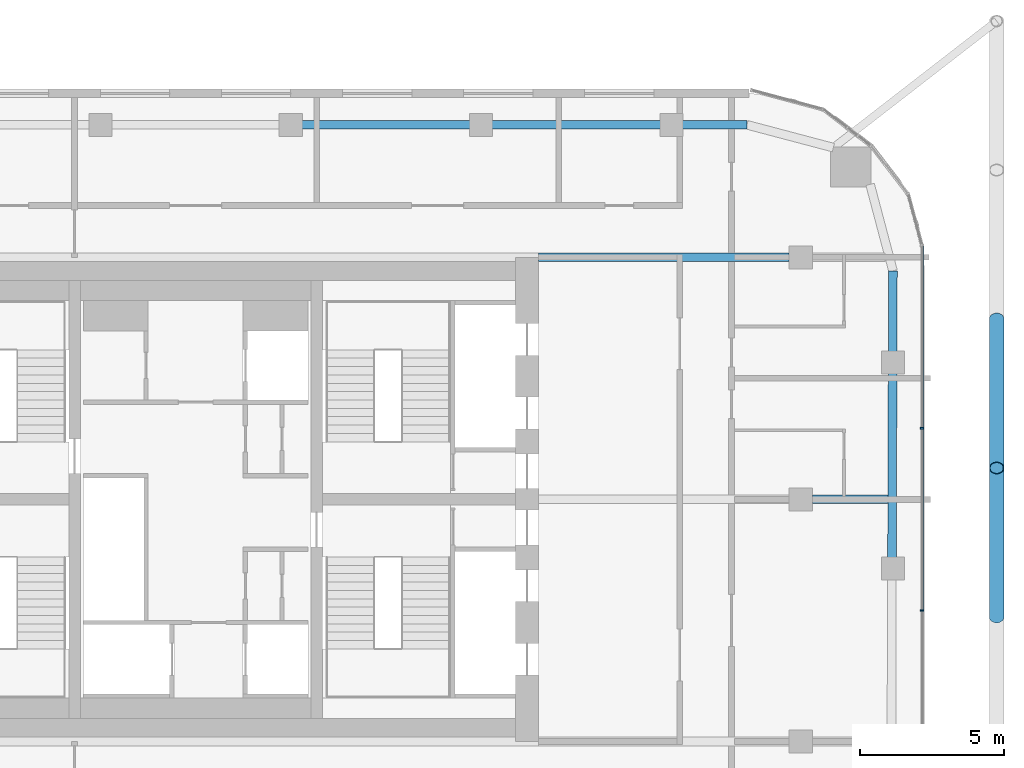
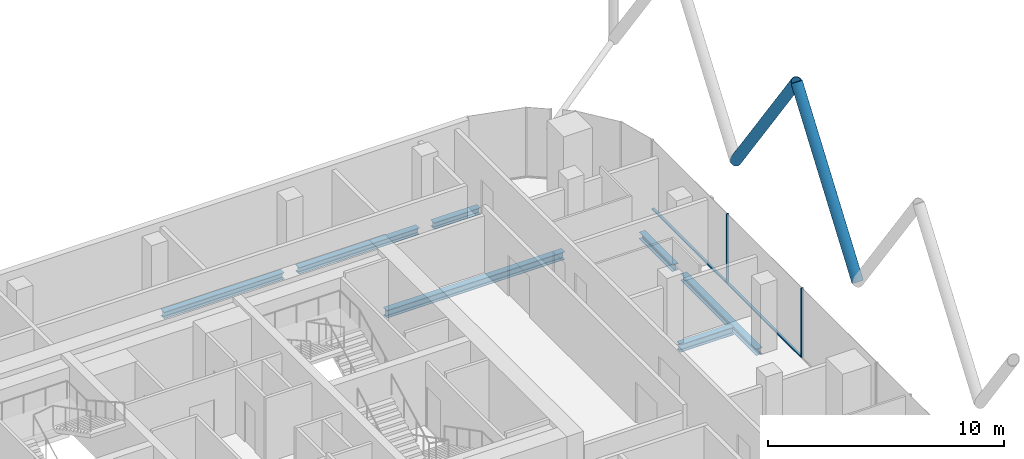
# One storey, part 10 of 28: 7 beams, 6 members, 1 element without a shape of its own.
"""IFC4 building model written with IfcOpenShell, lengths in metres."""

from ifc_helpers import new_model, si_unit, direction, frame, origin, origin_2d, place, context, subcontext, project, spatial, rectangle, hollow_circle, i_section, extrude, material, layer, layer_set, material_profile, profile_set, type_object, element, aggregate, save


model = new_model("IFC4")

# Units and contexts
model_context = context("Model", 3, precision=1e-05, world=origin(), true_north=direction((0.0, 1.0)))
body_context = subcontext(model_context, "Body", "Model", "MODEL_VIEW")
ifc_project = project(units=[si_unit("LENGTHUNIT", "METRE"), si_unit("AREAUNIT", "SQUARE_METRE"), si_unit("VOLUMEUNIT", "CUBIC_METRE"), si_unit("PLANEANGLEUNIT", "RADIAN"), si_unit("MASSUNIT", "GRAM", prefix="KILO")], contexts=[model_context])

# Site, building, storey
site_placement = place(None, origin())
site = spatial("IfcSite", under=ifc_project, at=site_placement, CompositionType="ELEMENT")
building_placement = place(site_placement, origin())
building = spatial("IfcBuilding", under=site, at=building_placement, Name="Marenta Gate Hotel Tower", CompositionType="ELEMENT")
storey_placement = place(building_placement, frame((0.0, 0.0, 198.5)))
storey = spatial("IfcBuildingStorey", under=building, at=storey_placement, Name="L45", CompositionType="ELEMENT", Elevation=198.5)

# Members
ifc_material_1 = material(Name="Steel S355J2W", Category="steel")
ifc_material_profile_1 = material_profile(ifc_material_1, hollow_circle(Radius=0.25390625, WallThickness=0.02490234375, at=origin_2d()), Name="CHS 508x25")
ifc_profile_set_1 = profile_set([ifc_material_profile_1], Name="Steel S355J2W")
member_type_1 = type_object("IfcMemberType", Name="Diagrid diagonal Z3 CHS 508x25", PredefinedType="BRACE", material=ifc_profile_set_1)
member_1_placement = place(storey_placement, frame((27.800048828125, 14.659912109375, 3.139892578125), z_axis=(0.0, -0.583247791947, 0.812294289767), x_axis=(1.0, 0.0, 0.0)))
element("IfcMember", 1, at=member_1_placement, inside=storey, type_object=member_type_1, Name="L45-DG-3", PredefinedType="BRACE", context=body_context, shape_type="SweptSolid", body=[
    extrude(hollow_circle(Radius=0.25390625, WallThickness=0.02490234375, at=origin_2d()), origin(), (0.0, 0.0, 1.0), 8.864013671875),
])
member_2_placement = place(storey_placement, frame((27.800048828125, 4.31982421875, 3.139892578125), z_axis=(0.0, 0.583265964901, 0.81228124082), x_axis=(-1.0, 0.0, 0.0)))
element("IfcMember", 2, at=member_2_placement, inside=storey, type_object=member_type_1, Name="L45-DG-4", PredefinedType="BRACE", context=body_context, shape_type="SweptSolid", body=[
    extrude(hollow_circle(Radius=0.25390625, WallThickness=0.02490234375, at=origin_2d()), origin(), (0.0, 0.0, 1.0), 8.8642578125),
])

# Beams
ifc_material_2 = material(Name="Steel S355", Category="steel")
ifc_material_profile_2 = material_profile(ifc_material_2, i_section(OverallWidth=0.300048828125, OverallDepth=0.340087890625, WebThickness=0.011962890625, FlangeThickness=0.021484375, FilletRadius=0.027099609375, at=origin_2d()), Name="HEB 340")
ifc_profile_set_2 = profile_set([ifc_material_profile_2], Name="Steel S355")
beam_type_1 = type_object("IfcBeamType", Name="Edge beam HEB 340", PredefinedType="SPANDREL", material=ifc_profile_set_2)
for number, where, z_axis, x_axis, name in (
    (3, (3.661376953125, 21.39990234375, -0.429931640625), (1.0, 0.0, 0.0), (0.0, 1.0, 0.0), "L45-EB-17"),
    (4, (10.26416015625, 21.39990234375, -0.429931640625), (1.0, 0.0, 0.0), (0.0, 1.0, 0.0), "L45-EB-18"),
):
    element("IfcBeam", number, at=place(storey_placement, frame(where, z_axis=z_axis, x_axis=x_axis)), inside=storey, type_object=beam_type_1, Name=name, PredefinedType="SPANDREL", context=body_context, shape_type="SweptSolid", body=[
        extrude(i_section(OverallWidth=0.300048828125, OverallDepth=0.340087890625, WebThickness=0.011962890625, FlangeThickness=0.021484375, FilletRadius=0.027099609375, at=origin_2d()), origin(), (0.0, 0.0, 1.0), 5.8828125),
    ])
beam_1_placement = place(storey_placement, frame((16.866943359375, 21.39990234375, -0.429931640625), z_axis=(1.0, 0.0, 0.0), x_axis=(0.0, 1.0, 0.0)))
element("IfcBeam", 5, at=beam_1_placement, inside=storey, type_object=beam_type_1, Name="L45-EB-19", PredefinedType="SPANDREL", context=body_context, shape_type="SweptSolid", body=[
    extrude(i_section(OverallWidth=0.300048828125, OverallDepth=0.340087890625, WebThickness=0.011962890625, FlangeThickness=0.021484375, FilletRadius=0.027099609375, at=origin_2d()), origin(), (0.0, 0.0, 1.0), 2.267578125),
])
beam_2_placement = place(storey_placement, frame((24.199951171875, 16.33447265625, -0.429931640625), z_axis=(-0.003292020626, -0.999994581285, 0.0), x_axis=(0.999994581285, -0.003292020626, 0.0)))
element("IfcBeam", 6, at=beam_2_placement, inside=storey, type_object=beam_type_1, Name="L45-EB-22", PredefinedType="SPANDREL", context=body_context, shape_type="SweptSolid", body=[
    extrude(i_section(OverallWidth=0.300048828125, OverallDepth=0.340087890625, WebThickness=0.011962890625, FlangeThickness=0.021484375, FilletRadius=0.027099609375, at=origin_2d()), origin(), (0.0, 0.0, 1.0), 2.818115234375),
])
beam_3_placement = place(storey_placement, frame((24.188232421875, 12.79638671875, -0.429931640625), z_axis=(-0.00333963982, -0.999994423387, 0.0), x_axis=(0.999994423387, -0.00333963982, 0.0)))
element("IfcBeam", 7, at=beam_3_placement, inside=storey, type_object=beam_type_1, Name="L45-EB-23", PredefinedType="SPANDREL", context=body_context, shape_type="SweptSolid", body=[
    extrude(i_section(OverallWidth=0.300048828125, OverallDepth=0.340087890625, WebThickness=0.011962890625, FlangeThickness=0.021484375, FilletRadius=0.027099609375, at=origin_2d()), origin(), (0.0, 0.0, 1.0), 6.43310546875),
])
ifc_material_3 = material(Name="Steel S355", Category="steel")
ifc_material_profile_3 = material_profile(ifc_material_3, i_section(OverallWidth=0.300048828125, OverallDepth=0.39990234375, WebThickness=0.013427734375, FlangeThickness=0.02392578125, FilletRadius=0.027099609375, at=origin_2d()), Name="HEB 400")
ifc_profile_set_3 = profile_set([ifc_material_profile_3], Name="Steel S355")
beam_type_2 = type_object("IfcBeamType", Name="Girder HEB 400", PredefinedType="BEAM", material=ifc_profile_set_3)
beam_4_placement = place(storey_placement, frame((21.39990234375, 8.39990234375, -0.4599609375), z_axis=(1.0, 0.0, 0.0), x_axis=(0.0, 1.0, 0.0)))
element("IfcBeam", 8, at=beam_4_placement, inside=storey, type_object=beam_type_2, Name="L45-GD-28", PredefinedType="BEAM", context=body_context, shape_type="SweptSolid", body=[
    extrude(i_section(OverallWidth=0.300048828125, OverallDepth=0.39990234375, WebThickness=0.013427734375, FlangeThickness=0.02392578125, FilletRadius=0.027099609375, at=origin_2d()), origin(), (0.0, 0.0, 1.0), 2.623779296875),
])
beam_5_placement = place(storey_placement, frame((11.89990234375, 16.800048828125, -0.4599609375), z_axis=(1.0, 0.0, 0.0), x_axis=(0.0, 1.0, 0.0)))
element("IfcBeam", 9, at=beam_5_placement, inside=storey, type_object=beam_type_2, Name="L45-GD-32", PredefinedType="BEAM", context=body_context, shape_type="SweptSolid", body=[
    extrude(i_section(OverallWidth=0.300048828125, OverallDepth=0.39990234375, WebThickness=0.013427734375, FlangeThickness=0.02392578125, FilletRadius=0.027099609375, at=origin_2d()), origin(), (0.0, 0.0, 1.0), 8.7001953125),
])

# Curtain wall, members
ifc_material_4 = material(Name="Tinted insulated glass in bronze anodised frame", Category="glass")
ifc_layer = layer(ifc_material_4, 0.1201171875)
ifc_layer_set = layer_set([ifc_layer], Name="Tinted insulated glass in bronze anodised frame")
curtain_wall_type = type_object("IfcCurtainWallType", Name="Tower unitised curtain wall CW1", PredefinedType="NOTDEFINED", material=ifc_layer_set)
curtain_wall_placement = place(storey_placement, origin())
curtain_wall = element("IfcCurtainWall", 10, at=curtain_wall_placement, inside=storey, type_object=curtain_wall_type, Name="CW1 run G19", PredefinedType="NOTDEFINED")
ifc_material_5 = material(Name="Bronze anodised aluminium", Category="aluminium")
ifc_material_profile_4 = material_profile(ifc_material_5, rectangle(XDim=0.1201171875, YDim=0.06005859375, at=origin_2d()), Name="Mullion CW1 60x120 bronze anodised aluminium")
ifc_profile_set_4 = profile_set([ifc_material_profile_4], Name="Bronze anodised aluminium")
member_type_2 = type_object("IfcMemberType", Name="Mullion CW1 60x120 bronze anodised aluminium", PredefinedType="MULLION", material=ifc_profile_set_4)
member_3_placement = place(storey_placement, frame((25.214111328125, 4.546630859375, 0.0), z_axis=(0.0, 0.0, 1.0), x_axis=(-1.0, 0.0, 0.0)))
member_3 = element("IfcMember", 11, at=member_3_placement, type_object=member_type_2, Name="CW1 mullion 5", PredefinedType="MULLION", context=body_context, shape_type="SweptSolid", body=[
    extrude(rectangle(XDim=0.1201171875, YDim=0.06005859375, at=origin_2d()), origin(), (0.0, 0.0, 1.0), 3.60009765625),
])
member_4_placement = place(storey_placement, frame((25.214111328125, 10.869384765625, 0.0), z_axis=(0.0, 0.0, 1.0), x_axis=(-1.0, 0.0, 0.0)))
member_4 = element("IfcMember", 12, at=member_4_placement, type_object=member_type_2, Name="CW1 mullion 6", PredefinedType="MULLION", context=body_context, shape_type="SweptSolid", body=[
    extrude(rectangle(XDim=0.1201171875, YDim=0.06005859375, at=origin_2d()), origin(), (0.0, 0.0, 1.0), 3.60009765625),
])
ifc_material_6 = material(Name="Bronze anodised aluminium", Category="aluminium")
ifc_material_profile_5 = material_profile(ifc_material_6, rectangle(XDim=0.1201171875, YDim=0.06005859375, at=origin_2d()), Name="Transom CW1 60x120 bronze anodised aluminium")
ifc_profile_set_5 = profile_set([ifc_material_profile_5], Name="Bronze anodised aluminium")
member_type_3 = type_object("IfcMemberType", Name="Transom CW1 60x120 bronze anodised aluminium", PredefinedType="USERDEFINED", material=ifc_profile_set_5)
member_5_placement = place(storey_placement, frame((25.214111328125, 4.57666015625, 0.030029296875), z_axis=(0.0, 1.0, 0.0), x_axis=(-1.0, 0.0, 0.0)))
member_5 = element("IfcMember", 13, at=member_5_placement, type_object=member_type_3, Name="CW1 transom 5.1", ObjectType="TRANSOM", PredefinedType="USERDEFINED", context=body_context, shape_type="SweptSolid", body=[
    extrude(rectangle(XDim=0.1201171875, YDim=0.06005859375, at=origin_2d()), origin(), (0.0, 0.0, 1.0), 6.2626953125),
])
member_6_placement = place(storey_placement, frame((25.214111328125, 10.899169921875, 0.030029296875), z_axis=(0.0, 1.0, 0.0), x_axis=(-1.0, 0.0, 0.0)))
member_6 = element("IfcMember", 14, at=member_6_placement, type_object=member_type_3, Name="CW1 transom 6.1", ObjectType="TRANSOM", PredefinedType="USERDEFINED", context=body_context, shape_type="SweptSolid", body=[
    extrude(rectangle(XDim=0.1201171875, YDim=0.06005859375, at=origin_2d()), origin(), (0.0, 0.0, 1.0), 6.292724609375),
])
aggregate(curtain_wall, [member_3, member_4, member_5, member_6])

save(model, "model.ifc")
